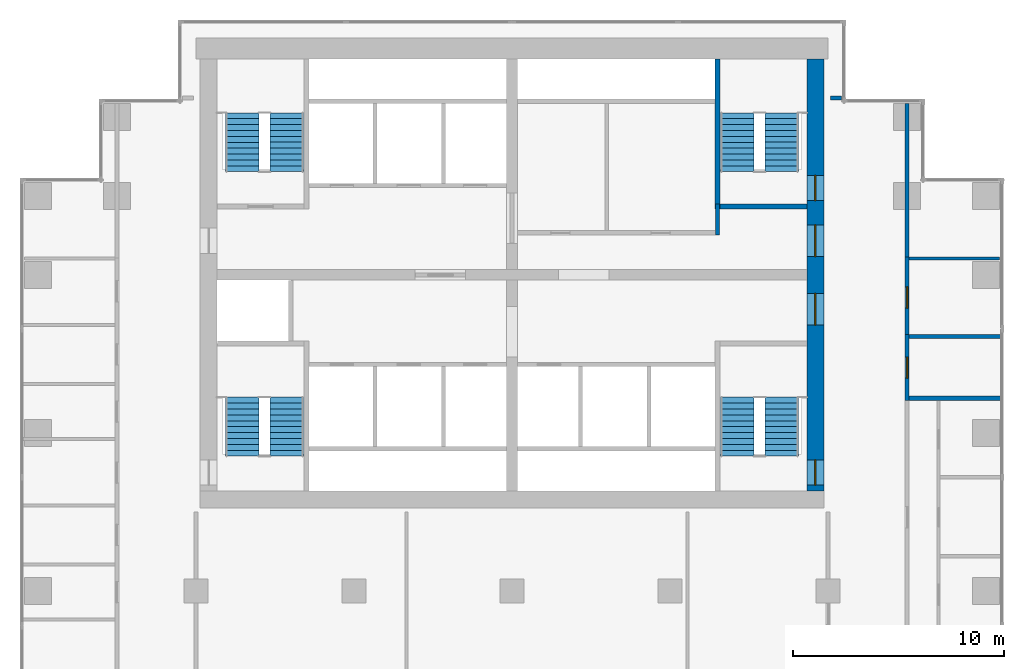
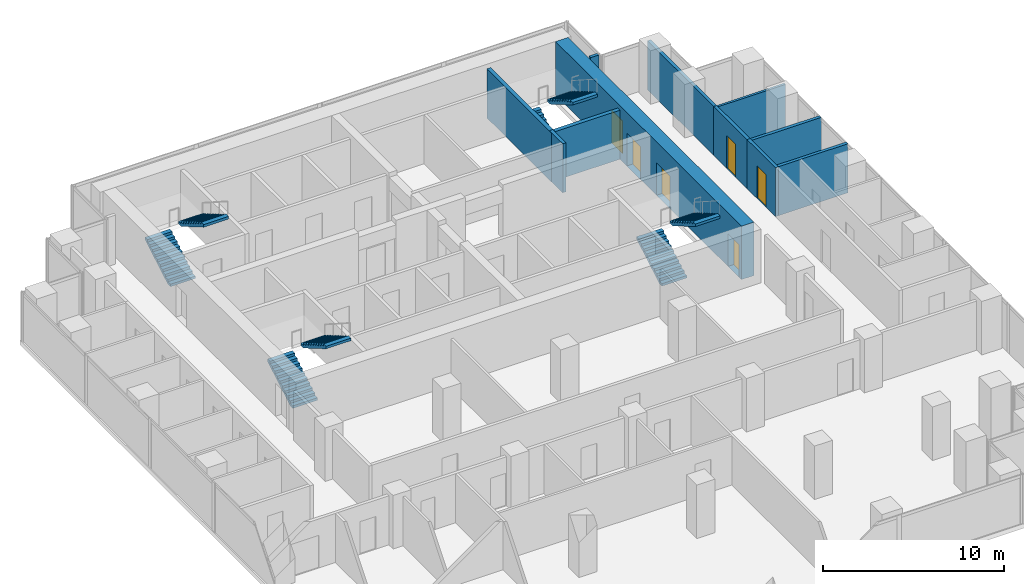
# One storey, part 9 of 10: 11 walls, 8 stair flights, 6 doors, 6 openings, 4 elements without a shape of their own.
"""IFC4 building model written with IfcOpenShell, lengths in metres."""

from ifc_helpers import new_model, si_unit, direction, frame, frame_2d, origin, place, context, subcontext, project, spatial, polyline, rectangle, outline, extrude, material, layer, layer_set, type_object, element, fill, aggregate, save


model = new_model("IFC4")

# Units and contexts
model_context = context("Model", 3, precision=1e-05, world=origin(), true_north=direction((0.0, 1.0)))
body_context = subcontext(model_context, "Body", "Model", "MODEL_VIEW")
ifc_project = project(units=[si_unit("LENGTHUNIT", "METRE"), si_unit("AREAUNIT", "SQUARE_METRE"), si_unit("VOLUMEUNIT", "CUBIC_METRE"), si_unit("PLANEANGLEUNIT", "RADIAN"), si_unit("MASSUNIT", "GRAM", prefix="KILO")], contexts=[model_context])

# Site, building, storey
site_placement = place(None, origin())
site = spatial("IfcSite", under=ifc_project, at=site_placement, CompositionType="ELEMENT")
building_placement = place(site_placement, origin())
building = spatial("IfcBuilding", under=site, at=building_placement, Name="Pilkhan Gate Tower", CompositionType="ELEMENT")
storey_placement = place(building_placement, frame((0.0, 0.0, 128.800048828125)))
storey = spatial("IfcBuildingStorey", under=building, at=storey_placement, Name="L32", CompositionType="ELEMENT", Elevation=128.800048828125)

# Wall, openings, doors
ifc_material_1 = material(Name="Concrete C60/75", Category="concrete")
ifc_layer_1 = layer(ifc_material_1, 0.800048828125)
ifc_layer_set_1 = layer_set([ifc_layer_1], Name="Core wall CW800 C60/75")
wall_type_1 = type_object("IfcWallType", Name="Core wall CW800 C60/75", PredefinedType="SHEAR", material=ifc_layer_set_1)
wall_1_placement = place(storey_placement, frame((89.39990234375, 72.25, 0.0), z_axis=(0.0, 0.0, 1.0), x_axis=(0.0, 1.0, 0.0)))
wall_1 = element("IfcWall", 1, at=wall_1_placement, inside=storey, type_object=wall_type_1, Name="Core wall E L32", PredefinedType="SHEAR", context=body_context, shape_type="SweptSolid", body=[
    extrude(rectangle(XDim=20.5, YDim=0.800048828125, at=frame_2d((10.25, 0.0))), origin(), (0.0, 0.0, 1.0), 3.599853515625),
])
opening_1_placement = place(wall_1_placement, frame((0.27490234375, 0.0, 0.0)))
opening_1 = element("IfcOpeningElement", 2, at=opening_1_placement, cuts=wall_1, Name="Opening L32-03", PredefinedType="OPENING", context=body_context, shape_type="SweptSolid", body=[
    extrude(rectangle(XDim=1.199951171875, YDim=2.199951171875, at=frame_2d((0.60009765625, 1.10009765625))), frame((0.0, 0.409912109375, 0.0), z_axis=(0.0, -1.0, 0.0), x_axis=(1.0, 0.0, 0.0)), (0.0, 0.0, 1.0), 0.820068359375),
])
opening_2_placement = place(wall_1_placement, frame((13.77490234375, 0.0, 0.0)))
opening_2 = element("IfcOpeningElement", 3, at=opening_2_placement, cuts=wall_1, Name="Opening L32-05", PredefinedType="OPENING", context=body_context, shape_type="SweptSolid", body=[
    extrude(rectangle(XDim=1.199951171875, YDim=2.199951171875, at=frame_2d((0.60009765625, 1.10009765625))), frame((0.0, 0.409912109375, 0.0), z_axis=(0.0, -1.0, 0.0), x_axis=(1.0, 0.0, 0.0)), (0.0, 0.0, 1.0), 0.820068359375),
])
opening_3_placement = place(wall_1_placement, frame((7.875, 0.0, 0.0)))
opening_3 = element("IfcOpeningElement", 4, at=opening_3_placement, cuts=wall_1, Name="Opening L32-12", PredefinedType="OPENING", context=body_context, shape_type="SweptSolid", body=[
    extrude(rectangle(XDim=1.5, YDim=2.199951171875, at=frame_2d((0.75, 1.10009765625))), frame((0.0, 0.409912109375, 0.0), z_axis=(0.0, -1.0, 0.0), x_axis=(1.0, 0.0, 0.0)), (0.0, 0.0, 1.0), 0.820068359375),
])
opening_4_placement = place(wall_1_placement, frame((11.125, 0.0, 0.0)))
opening_4 = element("IfcOpeningElement", 5, at=opening_4_placement, cuts=wall_1, Name="Opening L32-14", PredefinedType="OPENING", context=body_context, shape_type="SweptSolid", body=[
    extrude(rectangle(XDim=1.5, YDim=2.199951171875, at=frame_2d((0.75, 1.10009765625))), frame((0.0, 0.409912109375, 0.0), z_axis=(0.0, -1.0, 0.0), x_axis=(1.0, 0.0, 0.0)), (0.0, 0.0, 1.0), 0.820068359375),
])
ifc_material_2 = material(Name="Steel framed glazed door, 60 minute fire resisting", Category="steel")
door_type_1 = type_object("IfcDoorType", Name="Lobby door D09 1500x2200", OperationType="DOUBLE_DOOR_SINGLE_SWING", PredefinedType="DOOR", material=ifc_material_2)
door_1_placement = place(opening_3_placement, origin())
door_1 = element("IfcDoor", 6, at=door_1_placement, inside=storey, type_object=door_type_1, Name="Core door", OperationType="DOUBLE_DOOR_SINGLE_SWING", OverallHeight=2.199951171875, OverallWidth=1.5, PredefinedType="DOOR", context=body_context, shape_type="SweptSolid", body=[
    extrude(rectangle(XDim=1.5, YDim=2.199951171875, at=frame_2d((0.75, 1.10009765625))), frame((0.0, 0.02490234375, 0.0), z_axis=(0.0, -1.0, 0.0), x_axis=(1.0, 0.0, 0.0)), (0.0, 0.0, 1.0), 0.050048828125),
])
fill(opening_3, door_1)
door_2_placement = place(opening_4_placement, origin())
door_2 = element("IfcDoor", 7, at=door_2_placement, inside=storey, type_object=door_type_1, Name="Core door", OperationType="DOUBLE_DOOR_SINGLE_SWING", OverallHeight=2.199951171875, OverallWidth=1.5, PredefinedType="DOOR", context=body_context, shape_type="SweptSolid", body=[
    extrude(rectangle(XDim=1.5, YDim=2.199951171875, at=frame_2d((0.75, 1.10009765625))), frame((0.0, 0.02490234375, 0.0), z_axis=(0.0, -1.0, 0.0), x_axis=(1.0, 0.0, 0.0)), (0.0, 0.0, 1.0), 0.050048828125),
])
fill(opening_4, door_2)
ifc_material_3 = material(Name="Steel door, 120 minute fire resisting, panic bar", Category="steel")
door_type_2 = type_object("IfcDoorType", Name="Stair door D11 1200x2200", OperationType="SINGLE_SWING_LEFT", PredefinedType="DOOR", material=ifc_material_3)
door_3_placement = place(opening_1_placement, origin())
door_3 = element("IfcDoor", 8, at=door_3_placement, inside=storey, type_object=door_type_2, Name="Stair ST1 door", OperationType="SINGLE_SWING_RIGHT", OverallHeight=2.199951171875, OverallWidth=1.199951171875, PredefinedType="DOOR", context=body_context, shape_type="SweptSolid", body=[
    extrude(rectangle(XDim=1.199951171875, YDim=2.199951171875, at=frame_2d((0.60009765625, 1.10009765625))), frame((0.0, 0.02490234375, 0.0), z_axis=(0.0, -1.0, 0.0), x_axis=(1.0, 0.0, 0.0)), (0.0, 0.0, 1.0), 0.050048828125),
])
fill(opening_1, door_3)
door_4_placement = place(opening_2_placement, origin())
door_4 = element("IfcDoor", 9, at=door_4_placement, inside=storey, type_object=door_type_2, Name="Stair ST4 door", OperationType="SINGLE_SWING_RIGHT", OverallHeight=2.199951171875, OverallWidth=1.199951171875, PredefinedType="DOOR", context=body_context, shape_type="SweptSolid", body=[
    extrude(rectangle(XDim=1.199951171875, YDim=2.199951171875, at=frame_2d((0.60009765625, 1.10009765625))), frame((0.0, 0.02490234375, 0.0), z_axis=(0.0, -1.0, 0.0), x_axis=(1.0, 0.0, 0.0)), (0.0, 0.0, 1.0), 0.050048828125),
])
fill(opening_2, door_4)

# Wall
ifc_material_4 = material(Name="Dense blockwork", Category="masonry")
ifc_layer_2 = layer(ifc_material_4, 0.199951171875)
ifc_layer_set_2 = layer_set([ifc_layer_2], Name="Corridor wall FW200")
wall_type_2 = type_object("IfcWallType", Name="Corridor wall FW200", PredefinedType="PARTITIONING", material=ifc_layer_set_2)
wall_2_placement = place(storey_placement, frame((90.1201171875, 90.89990234375, 0.0), z_axis=(0.0, 0.0, 1.0), x_axis=(1.0, 0.0, 0.0)))
element("IfcWall", 10, at=wall_2_placement, inside=storey, type_object=wall_type_2, Name="Partition L32", PredefinedType="PARTITIONING", context=body_context, shape_type="SweptSolid", body=[
    extrude(rectangle(XDim=0.52490234375, YDim=0.199951171875, at=frame_2d((0.262451171875, 0.0))), origin(), (0.0, 0.0, 1.0), 3.300048828125),
])

# Wall, opening, door
wall_3_placement = place(storey_placement, frame((93.75, 79.580078125, 0.0), z_axis=(0.0, 0.0, 1.0), x_axis=(0.0, 1.0, 0.0)))
wall_3 = element("IfcWall", 11, at=wall_3_placement, inside=storey, type_object=wall_type_2, Name="Partition L32", PredefinedType="PARTITIONING", context=body_context, shape_type="SweptSolid", body=[
    extrude(rectangle(XDim=3.77490234375, YDim=0.199951171875, at=frame_2d((1.887451171875, 0.0))), origin(), (0.0, 0.0, 1.0), 3.300048828125),
])
opening_5_placement = place(wall_3_placement, frame((1.35009765625, 0.0, 0.0)))
opening_5 = element("IfcOpeningElement", 12, at=opening_5_placement, cuts=wall_3, Name="Opening L32-33", PredefinedType="OPENING", context=body_context, shape_type="SweptSolid", body=[
    extrude(rectangle(XDim=1.0, YDim=2.199951171875, at=frame_2d((0.5, 1.10009765625))), frame((0.0, 0.10986328125, 0.0), z_axis=(0.0, -1.0, 0.0), x_axis=(1.0, 0.0, 0.0)), (0.0, 0.0, 1.0), 0.219970703125),
])
ifc_material_5 = material(Name="Timber flush door, 30 minute fire resisting", Category="wood")
door_type_3 = type_object("IfcDoorType", Name="Room door D03 1000x2200", OperationType="SINGLE_SWING_LEFT", PredefinedType="DOOR", material=ifc_material_5)
door_5_placement = place(opening_5_placement, origin())
door_5 = element("IfcDoor", 13, at=door_5_placement, inside=storey, type_object=door_type_3, Name="Room door", OperationType="SINGLE_SWING_LEFT", OverallHeight=2.199951171875, OverallWidth=1.0, PredefinedType="DOOR", context=body_context, shape_type="SweptSolid", body=[
    extrude(rectangle(XDim=1.0, YDim=2.199951171875, at=frame_2d((0.5, 1.10009765625))), frame((0.0, 0.02490234375, 0.0), z_axis=(0.0, -1.0, 0.0), x_axis=(1.0, 0.0, 0.0)), (0.0, 0.0, 1.0), 0.050048828125),
])
fill(opening_5, door_5)

# Walls
wall_4_placement = place(storey_placement, frame((93.75, 83.31005859375, 0.0), z_axis=(0.0, 0.0, 1.0), x_axis=(0.0, 1.0, 0.0)))
element("IfcWall", 14, at=wall_4_placement, inside=storey, type_object=wall_type_2, Name="Partition L32", PredefinedType="PARTITIONING", context=body_context, shape_type="SweptSolid", body=[
    extrude(rectangle(XDim=7.3349609375, YDim=0.199951171875, at=frame_2d((3.66748046875, 0.0))), origin(), (0.0, 0.0, 1.0), 3.300048828125),
])
ifc_layer_3 = layer(ifc_material_4, 0.199951171875)
ifc_layer_set_3 = layer_set([ifc_layer_3], Name="Lobby wall LW200")
wall_type_3 = type_object("IfcWallType", Name="Lobby wall LW200", PredefinedType="PARTITIONING", material=ifc_layer_set_3)
for number, where, z_axis, x_axis, name in (
    (15, (93.85009765625, 76.64990234375, 0.0), (0.0, 0.0, 1.0), (1.0, 0.0, 0.0), "Partition L32"),
    (16, (93.85009765625, 79.580078125, 0.0), (0.0, 0.0, 1.0), (1.0, 0.0, 0.0), "Partition L32"),
):
    element("IfcWall", number, at=place(storey_placement, frame(where, z_axis=z_axis, x_axis=x_axis)), inside=storey, type_object=wall_type_3, Name=name, PredefinedType="PARTITIONING", context=body_context, shape_type="SweptSolid", body=[
        extrude(rectangle(XDim=4.414794921875, YDim=0.199951171875, at=frame_2d((2.20751953125, 0.0))), origin(), (0.0, 0.0, 1.0), 3.300048828125),
    ])
wall_5_placement = place(storey_placement, frame((84.75, 84.39990234375, 0.0), z_axis=(0.0, 0.0, 1.0), x_axis=(0.0, 1.0, 0.0)))
element("IfcWall", 17, at=wall_5_placement, inside=storey, type_object=wall_type_3, Name="Partition L32", PredefinedType="PARTITIONING", context=body_context, shape_type="SweptSolid", body=[
    extrude(rectangle(XDim=1.47509765625, YDim=0.199951171875, at=frame_2d((0.737548828125, 0.0))), origin(), (0.0, 0.0, 1.0), 3.300048828125),
])

# Wall, opening, door
wall_6_placement = place(storey_placement, frame((93.75, 76.550048828125, 0.0), z_axis=(0.0, 0.0, 1.0), x_axis=(0.0, 1.0, 0.0)))
wall_6 = element("IfcWall", 18, at=wall_6_placement, inside=storey, type_object=wall_type_3, Name="Partition L32", PredefinedType="PARTITIONING", context=body_context, shape_type="SweptSolid", body=[
    extrude(rectangle(XDim=3.1298828125, YDim=0.199951171875, at=frame_2d((1.56494140625, 0.0))), origin(), (0.0, 0.0, 1.0), 3.300048828125),
])
opening_6_placement = place(wall_6_placement, frame((1.050048828125, 0.0, 0.0)))
opening_6 = element("IfcOpeningElement", 19, at=opening_6_placement, cuts=wall_6, Name="Opening L32-11", PredefinedType="OPENING", context=body_context, shape_type="SweptSolid", body=[
    extrude(rectangle(XDim=1.0, YDim=2.199951171875, at=frame_2d((0.5, 1.10009765625))), frame((0.0, 0.10986328125, 0.0), z_axis=(0.0, -1.0, 0.0), x_axis=(1.0, 0.0, 0.0)), (0.0, 0.0, 1.0), 0.219970703125),
])
door_6_placement = place(opening_6_placement, origin())
door_6 = element("IfcDoor", 20, at=door_6_placement, inside=storey, type_object=door_type_3, Name="Room door", OperationType="SINGLE_SWING_RIGHT", OverallHeight=2.199951171875, OverallWidth=1.0, PredefinedType="DOOR", context=body_context, shape_type="SweptSolid", body=[
    extrude(rectangle(XDim=1.0, YDim=2.199951171875, at=frame_2d((0.5, 1.10009765625))), frame((0.0, 0.02490234375, 0.0), z_axis=(0.0, -1.0, 0.0), x_axis=(1.0, 0.0, 0.0)), (0.0, 0.0, 1.0), 0.050048828125),
])
fill(opening_6, door_6)

# Walls
ifc_material_6 = material(Name="Blockwork partition, plastered both sides", Category="masonry")
ifc_layer_4 = layer(ifc_material_6, 0.14990234375)
ifc_layer_set_4 = layer_set([ifc_layer_4], Name="Partition PW150")
wall_type_4 = type_object("IfcWallType", Name="Partition PW150", PredefinedType="PARTITIONING", material=ifc_layer_set_4)
wall_7_placement = place(storey_placement, frame((93.85009765625, 83.280029296875, 0.0), z_axis=(0.0, 0.0, 1.0), x_axis=(1.0, 0.0, 0.0)))
element("IfcWall", 21, at=wall_7_placement, inside=storey, type_object=wall_type_4, Name="Partition L32", PredefinedType="PARTITIONING", context=body_context, shape_type="SweptSolid", body=[
    extrude(rectangle(XDim=4.294921875, YDim=0.14990234375, at=frame_2d((2.1474609375, 0.0))), origin(), (0.0, 0.0, 1.0), 3.300048828125),
])
ifc_material_7 = material(Name="Reinforced blockwork, 120 minute fire resisting", Category="masonry")
ifc_layer_5 = layer(ifc_material_7, 0.25)
ifc_layer_set_5 = layer_set([ifc_layer_5], Name="Stair enclosure wall SE250")
wall_type_5 = type_object("IfcWallType", Name="Stair enclosure wall SE250", PredefinedType="PARTITIONING", material=ifc_layer_set_5)
wall_8_placement = place(storey_placement, frame((84.875, 85.75, 0.0), z_axis=(0.0, 0.0, 1.0), x_axis=(1.0, 0.0, 0.0)))
element("IfcWall", 22, at=wall_8_placement, inside=storey, type_object=wall_type_5, Name="Partition L32", PredefinedType="PARTITIONING", context=body_context, shape_type="SweptSolid", body=[
    extrude(rectangle(XDim=4.125, YDim=0.25, at=frame_2d((2.0625, 0.0))), origin(), (0.0, 0.0, 1.0), 3.300048828125),
])
wall_9_placement = place(storey_placement, frame((84.75, 85.625, 0.0), z_axis=(0.0, 0.0, 1.0), x_axis=(0.0, 1.0, 0.0)))
element("IfcWall", 23, at=wall_9_placement, inside=storey, type_object=wall_type_5, Name="Partition L32", PredefinedType="PARTITIONING", context=body_context, shape_type="SweptSolid", body=[
    extrude(rectangle(XDim=7.114990234375, YDim=0.25, at=frame_2d((3.5576171875, 0.0))), origin(), (0.0, 0.0, 1.0), 3.300048828125),
])

# Stair, stair flights
ifc_material_8 = material(Name="Concrete C40/50 precast", Category="concrete")
stair_type_1 = type_object("IfcStairType", Name="Stair ST1 164x280", PredefinedType="HALF_TURN_STAIR", material=ifc_material_8)
stair_1_placement = place(storey_placement, origin())
stair_1 = element("IfcStair", 24, at=stair_1_placement, inside=storey, type_object=stair_type_1, Name="Stair ST1 L32", PredefinedType="HALF_TURN_STAIR")
stair_flight_type_1 = type_object("IfcStairFlightType", Name="Stair flight ST1 164x280x11", PredefinedType="STRAIGHT", material=ifc_material_8)
stair_flight_1_placement = place(storey_placement, frame((85.68994140625, 73.89990234375, 0.0), z_axis=(0.0, 0.0, 1.0), x_axis=(0.0, 1.0, 0.0)))
stair_flight_1 = element("IfcStairFlight", 25, at=stair_flight_1_placement, type_object=stair_flight_type_1, Name="ST1 flight 1", NumberOfRisers=11, NumberOfTreads=10, PredefinedType="STRAIGHT", RiserHeight=0.163636364, TreadLength=0.28, context=body_context, shape_type="SweptSolid", body=[
    extrude(outline(polyline([(0.0, 0.0), (0.0, 0.16357421875), (0.280029296875, 0.16357421875), (0.280029296875, 0.327392578125), (0.56005859375, 0.327392578125), (0.56005859375, 0.490966796875), (0.840087890625, 0.490966796875), (0.840087890625, 0.654541015625), (1.1201171875, 0.654541015625), (1.1201171875, 0.818115234375), (1.39990234375, 0.818115234375), (1.39990234375, 0.98193359375), (1.679931640625, 0.98193359375), (1.679931640625, 1.1455078125), (1.9599609375, 1.1455078125), (1.9599609375, 1.30908203125), (2.239990234375, 1.30908203125), (2.239990234375, 1.47265625), (2.52001953125, 1.47265625), (2.52001953125, 1.636474609375), (2.800048828125, 1.636474609375), (2.800048828125, 1.800048828125), (2.800048828125, 1.462646484375), (0.297119140625, 0.0), (0.0, 0.0)])), frame((0.0, 0.7900390625, 0.0), z_axis=(0.0, -1.0, 0.0), x_axis=(1.0, 0.0, 0.0)), (0.0, 0.0, 1.0), 1.580078125),
])
stair_flight_2_placement = place(storey_placement, frame((87.81005859375, 76.699951171875, 1.800048828125), z_axis=(0.0, 0.0, 1.0), x_axis=(0.0, -1.0, 0.0)))
stair_flight_2 = element("IfcStairFlight", 26, at=stair_flight_2_placement, type_object=stair_flight_type_1, Name="ST1 flight 2", NumberOfRisers=11, NumberOfTreads=10, PredefinedType="STRAIGHT", RiserHeight=0.163636364, TreadLength=0.28, context=body_context, shape_type="SweptSolid", body=[
    extrude(outline(polyline([(0.0, 0.0), (0.0, 0.16357421875), (0.280029296875, 0.16357421875), (0.280029296875, 0.327392578125), (0.56005859375, 0.327392578125), (0.56005859375, 0.490966796875), (0.840087890625, 0.490966796875), (0.840087890625, 0.654541015625), (1.1201171875, 0.654541015625), (1.1201171875, 0.818115234375), (1.39990234375, 0.818115234375), (1.39990234375, 0.98193359375), (1.679931640625, 0.98193359375), (1.679931640625, 1.1455078125), (1.9599609375, 1.1455078125), (1.9599609375, 1.30908203125), (2.239990234375, 1.30908203125), (2.239990234375, 1.47265625), (2.52001953125, 1.47265625), (2.52001953125, 1.636474609375), (2.800048828125, 1.636474609375), (2.800048828125, 1.800048828125), (2.800048828125, 1.462646484375), (0.297119140625, 0.0), (0.0, 0.0)])), frame((0.0, 0.7900390625, 0.0), z_axis=(0.0, -1.0, 0.0), x_axis=(1.0, 0.0, 0.0)), (0.0, 0.0, 1.0), 1.580078125),
])
aggregate(stair_1, [stair_flight_1, stair_flight_2])

stair_type_2 = type_object("IfcStairType", Name="Stair ST2 164x280", PredefinedType="HALF_TURN_STAIR", material=ifc_material_8)
stair_2_placement = place(storey_placement, origin())
stair_2 = element("IfcStair", 27, at=stair_2_placement, inside=storey, type_object=stair_type_2, Name="Stair ST2 L32", PredefinedType="HALF_TURN_STAIR")
stair_flight_type_2 = type_object("IfcStairFlightType", Name="Stair flight ST2 164x280x11", PredefinedType="STRAIGHT", material=ifc_material_8)
stair_flight_3_placement = place(storey_placement, frame((62.18994140625, 73.89990234375, 0.0), z_axis=(0.0, 0.0, 1.0), x_axis=(0.0, 1.0, 0.0)))
stair_flight_3 = element("IfcStairFlight", 28, at=stair_flight_3_placement, type_object=stair_flight_type_2, Name="ST2 flight 1", NumberOfRisers=11, NumberOfTreads=10, PredefinedType="STRAIGHT", RiserHeight=0.163636364, TreadLength=0.28, context=body_context, shape_type="SweptSolid", body=[
    extrude(outline(polyline([(0.0, 0.0), (0.0, 0.16357421875), (0.280029296875, 0.16357421875), (0.280029296875, 0.327392578125), (0.56005859375, 0.327392578125), (0.56005859375, 0.490966796875), (0.840087890625, 0.490966796875), (0.840087890625, 0.654541015625), (1.1201171875, 0.654541015625), (1.1201171875, 0.818115234375), (1.39990234375, 0.818115234375), (1.39990234375, 0.98193359375), (1.679931640625, 0.98193359375), (1.679931640625, 1.1455078125), (1.9599609375, 1.1455078125), (1.9599609375, 1.30908203125), (2.239990234375, 1.30908203125), (2.239990234375, 1.47265625), (2.52001953125, 1.47265625), (2.52001953125, 1.636474609375), (2.800048828125, 1.636474609375), (2.800048828125, 1.800048828125), (2.800048828125, 1.462646484375), (0.297119140625, 0.0), (0.0, 0.0)])), frame((0.0, 0.7900390625, 0.0), z_axis=(0.0, -1.0, 0.0), x_axis=(1.0, 0.0, 0.0)), (0.0, 0.0, 1.0), 1.580078125),
])
stair_flight_4_placement = place(storey_placement, frame((64.31005859375, 76.699951171875, 1.800048828125), z_axis=(0.0, 0.0, 1.0), x_axis=(0.0, -1.0, 0.0)))
stair_flight_4 = element("IfcStairFlight", 29, at=stair_flight_4_placement, type_object=stair_flight_type_2, Name="ST2 flight 2", NumberOfRisers=11, NumberOfTreads=10, PredefinedType="STRAIGHT", RiserHeight=0.163636364, TreadLength=0.28, context=body_context, shape_type="SweptSolid", body=[
    extrude(outline(polyline([(0.0, 0.0), (0.0, 0.16357421875), (0.280029296875, 0.16357421875), (0.280029296875, 0.327392578125), (0.56005859375, 0.327392578125), (0.56005859375, 0.490966796875), (0.840087890625, 0.490966796875), (0.840087890625, 0.654541015625), (1.1201171875, 0.654541015625), (1.1201171875, 0.818115234375), (1.39990234375, 0.818115234375), (1.39990234375, 0.98193359375), (1.679931640625, 0.98193359375), (1.679931640625, 1.1455078125), (1.9599609375, 1.1455078125), (1.9599609375, 1.30908203125), (2.239990234375, 1.30908203125), (2.239990234375, 1.47265625), (2.52001953125, 1.47265625), (2.52001953125, 1.636474609375), (2.800048828125, 1.636474609375), (2.800048828125, 1.800048828125), (2.800048828125, 1.462646484375), (0.297119140625, 0.0), (0.0, 0.0)])), frame((0.0, 0.7900390625, 0.0), z_axis=(0.0, -1.0, 0.0), x_axis=(1.0, 0.0, 0.0)), (0.0, 0.0, 1.0), 1.580078125),
])
aggregate(stair_2, [stair_flight_3, stair_flight_4])

stair_type_3 = type_object("IfcStairType", Name="Stair ST3 164x280", PredefinedType="HALF_TURN_STAIR", material=ifc_material_8)
stair_3_placement = place(storey_placement, origin())
stair_3 = element("IfcStair", 30, at=stair_3_placement, inside=storey, type_object=stair_type_3, Name="Stair ST3 L32", PredefinedType="HALF_TURN_STAIR")
stair_flight_type_3 = type_object("IfcStairFlightType", Name="Stair flight ST3 164x280x11", PredefinedType="STRAIGHT", material=ifc_material_8)
stair_flight_5_placement = place(storey_placement, frame((62.18994140625, 87.39990234375, 0.0), z_axis=(0.0, 0.0, 1.0), x_axis=(0.0, 1.0, 0.0)))
stair_flight_5 = element("IfcStairFlight", 31, at=stair_flight_5_placement, type_object=stair_flight_type_3, Name="ST3 flight 1", NumberOfRisers=11, NumberOfTreads=10, PredefinedType="STRAIGHT", RiserHeight=0.163636364, TreadLength=0.28, context=body_context, shape_type="SweptSolid", body=[
    extrude(outline(polyline([(0.0, 0.0), (0.0, 0.16357421875), (0.280029296875, 0.16357421875), (0.280029296875, 0.327392578125), (0.56005859375, 0.327392578125), (0.56005859375, 0.490966796875), (0.840087890625, 0.490966796875), (0.840087890625, 0.654541015625), (1.1201171875, 0.654541015625), (1.1201171875, 0.818115234375), (1.39990234375, 0.818115234375), (1.39990234375, 0.98193359375), (1.679931640625, 0.98193359375), (1.679931640625, 1.1455078125), (1.9599609375, 1.1455078125), (1.9599609375, 1.30908203125), (2.239990234375, 1.30908203125), (2.239990234375, 1.47265625), (2.52001953125, 1.47265625), (2.52001953125, 1.636474609375), (2.800048828125, 1.636474609375), (2.800048828125, 1.800048828125), (2.800048828125, 1.462646484375), (0.297119140625, 0.0), (0.0, 0.0)])), frame((0.0, 0.7900390625, 0.0), z_axis=(0.0, -1.0, 0.0), x_axis=(1.0, 0.0, 0.0)), (0.0, 0.0, 1.0), 1.580078125),
])
stair_flight_6_placement = place(storey_placement, frame((64.31005859375, 90.199951171875, 1.800048828125), z_axis=(0.0, 0.0, 1.0), x_axis=(0.0, -1.0, 0.0)))
stair_flight_6 = element("IfcStairFlight", 32, at=stair_flight_6_placement, type_object=stair_flight_type_3, Name="ST3 flight 2", NumberOfRisers=11, NumberOfTreads=10, PredefinedType="STRAIGHT", RiserHeight=0.163636364, TreadLength=0.28, context=body_context, shape_type="SweptSolid", body=[
    extrude(outline(polyline([(0.0, 0.0), (0.0, 0.16357421875), (0.280029296875, 0.16357421875), (0.280029296875, 0.327392578125), (0.56005859375, 0.327392578125), (0.56005859375, 0.490966796875), (0.840087890625, 0.490966796875), (0.840087890625, 0.654541015625), (1.1201171875, 0.654541015625), (1.1201171875, 0.818115234375), (1.39990234375, 0.818115234375), (1.39990234375, 0.98193359375), (1.679931640625, 0.98193359375), (1.679931640625, 1.1455078125), (1.9599609375, 1.1455078125), (1.9599609375, 1.30908203125), (2.239990234375, 1.30908203125), (2.239990234375, 1.47265625), (2.52001953125, 1.47265625), (2.52001953125, 1.636474609375), (2.800048828125, 1.636474609375), (2.800048828125, 1.800048828125), (2.800048828125, 1.462646484375), (0.297119140625, 0.0), (0.0, 0.0)])), frame((0.0, 0.7900390625, 0.0), z_axis=(0.0, -1.0, 0.0), x_axis=(1.0, 0.0, 0.0)), (0.0, 0.0, 1.0), 1.580078125),
])
aggregate(stair_3, [stair_flight_5, stair_flight_6])

stair_type_4 = type_object("IfcStairType", Name="Stair ST4 164x280", PredefinedType="HALF_TURN_STAIR", material=ifc_material_8)
stair_4_placement = place(storey_placement, origin())
stair_4 = element("IfcStair", 33, at=stair_4_placement, inside=storey, type_object=stair_type_4, Name="Stair ST4 L32", PredefinedType="HALF_TURN_STAIR")
stair_flight_type_4 = type_object("IfcStairFlightType", Name="Stair flight ST4 164x280x11", PredefinedType="STRAIGHT", material=ifc_material_8)
stair_flight_7_placement = place(storey_placement, frame((85.68994140625, 87.39990234375, 0.0), z_axis=(0.0, 0.0, 1.0), x_axis=(0.0, 1.0, 0.0)))
stair_flight_7 = element("IfcStairFlight", 34, at=stair_flight_7_placement, type_object=stair_flight_type_4, Name="ST4 flight 1", NumberOfRisers=11, NumberOfTreads=10, PredefinedType="STRAIGHT", RiserHeight=0.163636364, TreadLength=0.28, context=body_context, shape_type="SweptSolid", body=[
    extrude(outline(polyline([(0.0, 0.0), (0.0, 0.16357421875), (0.280029296875, 0.16357421875), (0.280029296875, 0.327392578125), (0.56005859375, 0.327392578125), (0.56005859375, 0.490966796875), (0.840087890625, 0.490966796875), (0.840087890625, 0.654541015625), (1.1201171875, 0.654541015625), (1.1201171875, 0.818115234375), (1.39990234375, 0.818115234375), (1.39990234375, 0.98193359375), (1.679931640625, 0.98193359375), (1.679931640625, 1.1455078125), (1.9599609375, 1.1455078125), (1.9599609375, 1.30908203125), (2.239990234375, 1.30908203125), (2.239990234375, 1.47265625), (2.52001953125, 1.47265625), (2.52001953125, 1.636474609375), (2.800048828125, 1.636474609375), (2.800048828125, 1.800048828125), (2.800048828125, 1.462646484375), (0.297119140625, 0.0), (0.0, 0.0)])), frame((0.0, 0.7900390625, 0.0), z_axis=(0.0, -1.0, 0.0), x_axis=(1.0, 0.0, 0.0)), (0.0, 0.0, 1.0), 1.580078125),
])
stair_flight_8_placement = place(storey_placement, frame((87.81005859375, 90.199951171875, 1.800048828125), z_axis=(0.0, 0.0, 1.0), x_axis=(0.0, -1.0, 0.0)))
stair_flight_8 = element("IfcStairFlight", 35, at=stair_flight_8_placement, type_object=stair_flight_type_4, Name="ST4 flight 2", NumberOfRisers=11, NumberOfTreads=10, PredefinedType="STRAIGHT", RiserHeight=0.163636364, TreadLength=0.28, context=body_context, shape_type="SweptSolid", body=[
    extrude(outline(polyline([(0.0, 0.0), (0.0, 0.16357421875), (0.280029296875, 0.16357421875), (0.280029296875, 0.327392578125), (0.56005859375, 0.327392578125), (0.56005859375, 0.490966796875), (0.840087890625, 0.490966796875), (0.840087890625, 0.654541015625), (1.1201171875, 0.654541015625), (1.1201171875, 0.818115234375), (1.39990234375, 0.818115234375), (1.39990234375, 0.98193359375), (1.679931640625, 0.98193359375), (1.679931640625, 1.1455078125), (1.9599609375, 1.1455078125), (1.9599609375, 1.30908203125), (2.239990234375, 1.30908203125), (2.239990234375, 1.47265625), (2.52001953125, 1.47265625), (2.52001953125, 1.636474609375), (2.800048828125, 1.636474609375), (2.800048828125, 1.800048828125), (2.800048828125, 1.462646484375), (0.297119140625, 0.0), (0.0, 0.0)])), frame((0.0, 0.7900390625, 0.0), z_axis=(0.0, -1.0, 0.0), x_axis=(1.0, 0.0, 0.0)), (0.0, 0.0, 1.0), 1.580078125),
])
aggregate(stair_4, [stair_flight_7, stair_flight_8])

save(model, "model.ifc")
